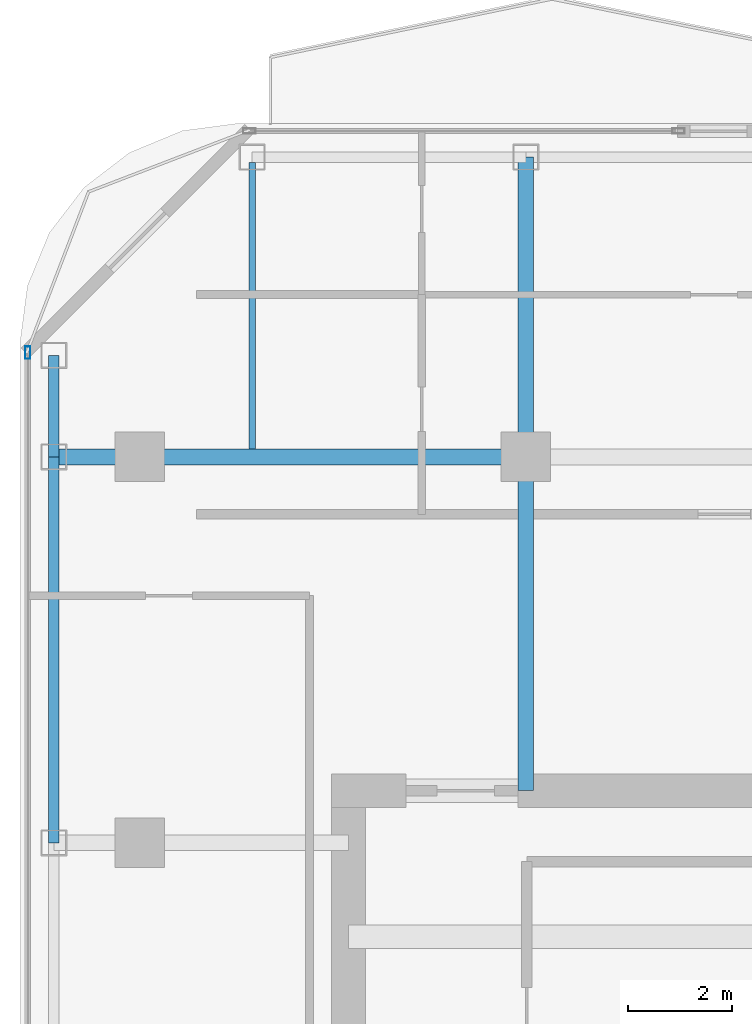
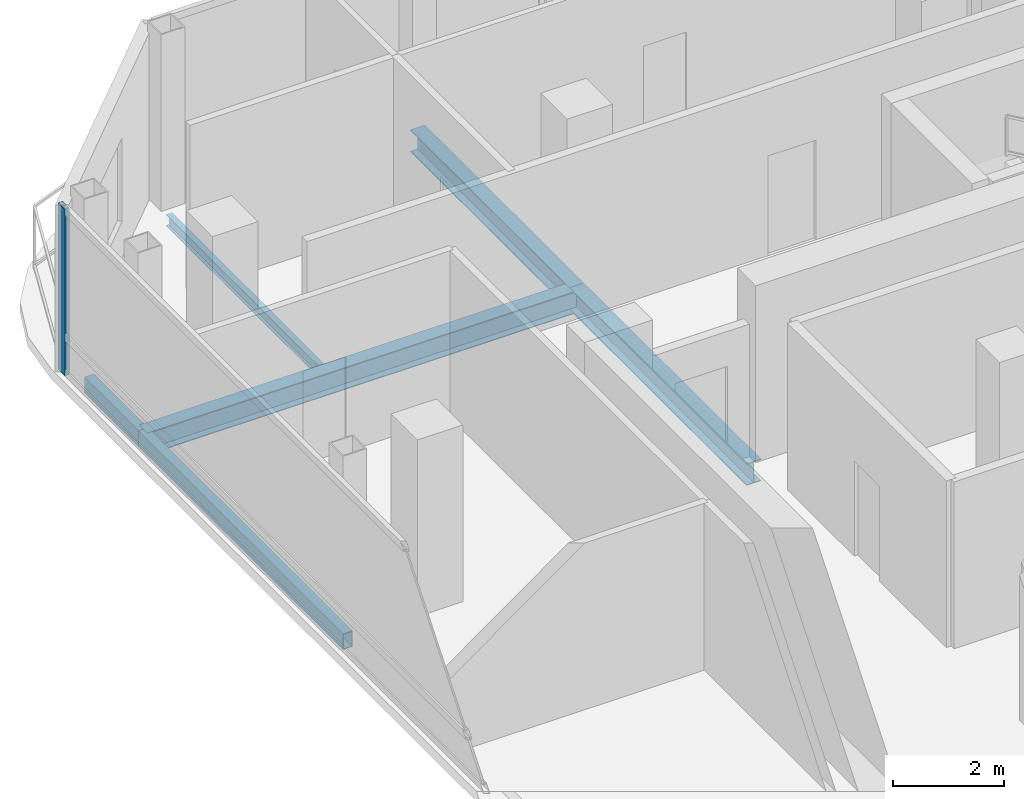
# One storey, part 11 of 24: 6 beams, 1 member, 1 element without a shape of its own.
"""IFC4 building model written with IfcOpenShell, lengths in metres."""

from ifc_helpers import new_model, si_unit, direction, frame, origin, origin_2d, place, context, subcontext, project, spatial, hollow_rectangle, i_section, extrude, material, layer, layer_set, material_profile, profile_set, type_object, element, aggregate, save


model = new_model("IFC4")

# Units and contexts
model_context = context("Model", 3, precision=1e-05, world=origin(), true_north=direction((0.0, 1.0)))
body_context = subcontext(model_context, "Body", "Model", "MODEL_VIEW")
ifc_project = project(units=[si_unit("LENGTHUNIT", "METRE"), si_unit("AREAUNIT", "SQUARE_METRE"), si_unit("VOLUMEUNIT", "CUBIC_METRE"), si_unit("PLANEANGLEUNIT", "RADIAN"), si_unit("MASSUNIT", "GRAM", prefix="KILO")], contexts=[model_context])

# Site, building, storey
site_placement = place(None, origin())
site = spatial("IfcSite", under=ifc_project, at=site_placement, CompositionType="ELEMENT")
building_placement = place(site_placement, origin())
building = spatial("IfcBuilding", under=site, at=building_placement, Name="Khorvyn Point Tower", CompositionType="ELEMENT")
storey_placement = place(building_placement, frame((0.0, 0.0, 266.39990234375)))
storey = spatial("IfcBuildingStorey", under=building, at=storey_placement, Name="L65", CompositionType="ELEMENT", Elevation=266.39990234375)

# Curtain wall, member
ifc_material_1 = material(Name="Anodised aluminium 6063-T6 and laminated Low-E glass", Category="aluminium")
ifc_layer = layer(ifc_material_1, 0.18994140625)
ifc_layer_set = layer_set([ifc_layer], Name="Stick-Built High-Wind Curtain Wall CW-SYS-04")
curtain_wall_type = type_object("IfcCurtainWallType", Name="Stick-Built High-Wind Curtain Wall CW-SYS-04", PredefinedType="NOTDEFINED", material=ifc_layer_set)
curtain_wall_placement = place(storey_placement, origin())
curtain_wall = element("IfcCurtainWall", 1, at=curtain_wall_placement, inside=storey, type_object=curtain_wall_type, Name="Curtain Wall", PredefinedType="NOTDEFINED")
ifc_material_2 = material(Name="Anodised aluminium 6063-T6", Category="aluminium")
ifc_material_profile_1 = material_profile(ifc_material_2, hollow_rectangle(XDim=0.10009765625, YDim=0.239990234375, WallThickness=0.0048828125, at=origin_2d()))
ifc_profile_set_1 = profile_set([ifc_material_profile_1], Name="Anodised aluminium 6063-T6 ALU-MUL-100x240")
member_type = type_object("IfcMemberType", Name="Anodised Aluminium 6063-T6 Mullion ALU-MUL-100x240", PredefinedType="MULLION", material=ifc_profile_set_1)
member_placement = place(storey_placement, frame((-16.949951171875, 16.800048828125, 0.0), z_axis=(0.0, 0.0, 1.0), x_axis=(-1.0, 0.0, 0.0)))
member = element("IfcMember", 2, at=member_placement, type_object=member_type, Name="Transom", PredefinedType="MULLION", context=body_context, shape_type="SweptSolid", body=[
    extrude(hollow_rectangle(XDim=0.10009765625, YDim=0.239990234375, WallThickness=0.0048828125, at=origin_2d()), origin(), (0.0, 0.0, 1.0), 3.68017578125),
])
aggregate(curtain_wall, [member])

# Beams
ifc_material_3 = material(Name="Steel S355", Category="steel")
ifc_material_profile_2 = material_profile(ifc_material_3, i_section(OverallWidth=0.125, OverallDepth=0.25, WebThickness=0.006103515625, FlangeThickness=0.009033203125, at=origin_2d()))
ifc_profile_set_2 = profile_set([ifc_material_profile_2], Name="Steel S355 H250x125x6x9")
beam_type_1 = type_object("IfcBeamType", Name="Steel S355 Joist H250x125x6x9", PredefinedType="JOIST", material=ifc_profile_set_2)
beam_1_placement = place(storey_placement, frame((-12.64990234375, 14.949951171875, -0.344970703125), z_axis=(0.0, 1.0, 0.0), x_axis=(-1.0, 0.0, 0.0)))
element("IfcBeam", 3, at=beam_1_placement, inside=storey, type_object=beam_type_1, Name="Beam", PredefinedType="JOIST", context=body_context, shape_type="SweptSolid", body=[
    extrude(i_section(OverallWidth=0.125, OverallDepth=0.25, WebThickness=0.006103515625, FlangeThickness=0.009033203125, at=origin_2d()), origin(), (0.0, 0.0, 1.0), 5.5),
])
ifc_material_profile_3 = material_profile(ifc_material_3, i_section(OverallWidth=0.300048828125, OverallDepth=0.488037109375, WebThickness=0.010986328125, FlangeThickness=0.01806640625, at=origin_2d()))
ifc_profile_set_3 = profile_set([ifc_material_profile_3], Name="Steel S355 H488x300x11x18")
beam_type_2 = type_object("IfcBeamType", Name="Steel S355 Spandrel H488x300x11x18", PredefinedType="SPANDREL", material=ifc_profile_set_3)
beam_2_placement = place(storey_placement, frame((-16.449951171875, 14.800048828125, -0.4638671875), z_axis=(1.0, 0.0, 0.0), x_axis=(0.0, 1.0, 0.0)))
element("IfcBeam", 4, at=beam_2_placement, inside=storey, type_object=beam_type_2, Name="Beam", PredefinedType="SPANDREL", context=body_context, shape_type="SweptSolid", body=[
    extrude(i_section(OverallWidth=0.300048828125, OverallDepth=0.488037109375, WebThickness=0.010986328125, FlangeThickness=0.01806640625, at=origin_2d()), origin(), (0.0, 0.0, 1.0), 9.050048828125),
])
beam_3_placement = place(storey_placement, frame((-7.39990234375, 8.39990234375, -0.4638671875), z_axis=(0.0, 1.0, 0.0), x_axis=(-1.0, 0.0, 0.0)))
element("IfcBeam", 5, at=beam_3_placement, inside=storey, type_object=beam_type_2, Name="Beam", PredefinedType="SPANDREL", context=body_context, shape_type="SweptSolid", body=[
    extrude(i_section(OverallWidth=0.300048828125, OverallDepth=0.488037109375, WebThickness=0.010986328125, FlangeThickness=0.01806640625, at=origin_2d()), origin(), (0.0, 0.0, 1.0), 6.400146484375),
])
beam_4_placement = place(storey_placement, frame((-7.39990234375, 14.800048828125, -0.4638671875), z_axis=(0.0, 1.0, 0.0), x_axis=(-1.0, 0.0, 0.0)))
element("IfcBeam", 6, at=beam_4_placement, inside=storey, type_object=beam_type_2, Name="Beam", PredefinedType="SPANDREL", context=body_context, shape_type="SweptSolid", body=[
    extrude(i_section(OverallWidth=0.300048828125, OverallDepth=0.488037109375, WebThickness=0.010986328125, FlangeThickness=0.01806640625, at=origin_2d()), origin(), (0.0, 0.0, 1.0), 5.75),
])
ifc_material_profile_4 = material_profile(ifc_material_3, hollow_rectangle(XDim=0.199951171875, YDim=0.35009765625, WallThickness=0.013916015625, at=origin_2d()))
ifc_profile_set_4 = profile_set([ifc_material_profile_4], Name="Steel S355 RHS350x200x14")
beam_type_3 = type_object("IfcBeamType", Name="Steel S355 Spandrel RHS350x200x14", PredefinedType="SPANDREL", material=ifc_profile_set_4)
beam_5_placement = place(storey_placement, frame((-16.449951171875, 7.39990234375, -0.39501953125), z_axis=(0.0, 1.0, 0.0), x_axis=(-1.0, 0.0, 0.0)))
element("IfcBeam", 7, at=beam_5_placement, inside=storey, type_object=beam_type_3, Name="Beam", PredefinedType="SPANDREL", context=body_context, shape_type="SweptSolid", body=[
    extrude(hollow_rectangle(XDim=0.199951171875, YDim=0.35009765625, WallThickness=0.013916015625, at=origin_2d()), origin(), (0.0, 0.0, 1.0), 7.400146484375),
])
beam_6_placement = place(storey_placement, frame((-16.449951171875, 14.800048828125, -0.39501953125), z_axis=(0.0, 1.0, 0.0), x_axis=(-1.0, 0.0, 0.0)))
element("IfcBeam", 8, at=beam_6_placement, inside=storey, type_object=beam_type_3, Name="Beam", PredefinedType="SPANDREL", context=body_context, shape_type="SweptSolid", body=[
    extrude(hollow_rectangle(XDim=0.199951171875, YDim=0.35009765625, WallThickness=0.013916015625, at=origin_2d()), origin(), (0.0, 0.0, 1.0), 1.949951171875),
])

save(model, "model.ifc")
